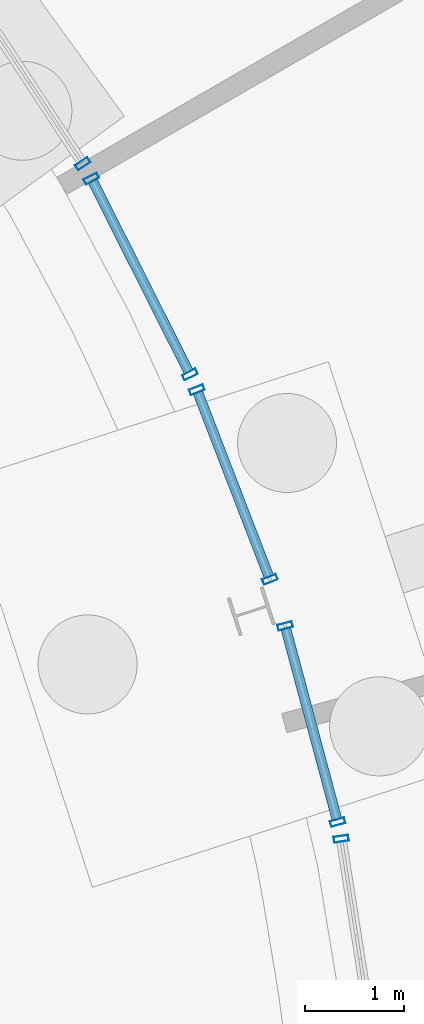
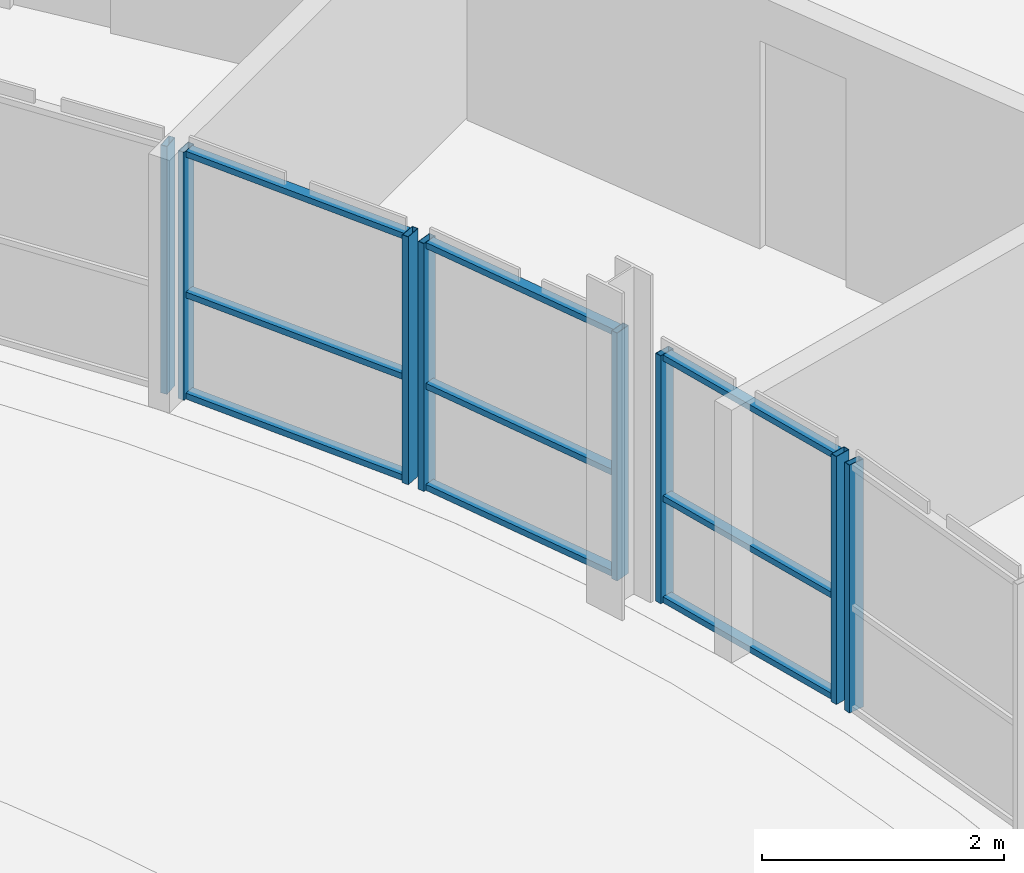
# One storey, part 62 of 130: 17 members, 5 elements without a shape of their own.
"""IFC4 building model written with IfcOpenShell, lengths in metres."""

from ifc_helpers import new_model, si_unit, direction, frame, origin, origin_2d, place, context, subcontext, project, spatial, hollow_rectangle, extrude, material, material_profile, profile_set, type_object, element, aggregate, save


model = new_model("IFC4")

# Units and contexts
model_context = context("Model", 3, precision=1e-05, world=origin(), true_north=direction((0.0, 1.0)))
body_context = subcontext(model_context, "Body", "Model", "MODEL_VIEW")
ifc_project = project(units=[si_unit("LENGTHUNIT", "METRE"), si_unit("AREAUNIT", "SQUARE_METRE"), si_unit("VOLUMEUNIT", "CUBIC_METRE"), si_unit("PLANEANGLEUNIT", "RADIAN"), si_unit("MASSUNIT", "GRAM", prefix="KILO")], contexts=[model_context])

# Site, building, storey
site_placement = place(None, origin())
site = spatial("IfcSite", under=ifc_project, at=site_placement, CompositionType="ELEMENT")
building_placement = place(site_placement, origin())
building = spatial("IfcBuilding", under=site, at=building_placement, Name="Parallax Yard Mobility Hub", CompositionType="ELEMENT")
storey_placement = place(building_placement, origin())
storey = spatial("IfcBuildingStorey", under=building, at=storey_placement, Name="L00", CompositionType="ELEMENT", Elevation=0.0)

# Curtain wall, member
ifc_material_1 = material(Name="Aluminium and glass curtain wall", Category="aluminium")
curtain_wall_type = type_object("IfcCurtainWallType", Name="Curtain wall, aluminium stick system", PredefinedType="NOTDEFINED", material=ifc_material_1)
curtain_wall_1_placement = place(storey_placement, origin())
curtain_wall_1 = element("IfcCurtainWall", 1, at=curtain_wall_1_placement, inside=storey, type_object=curtain_wall_type, Name="Curtain wall CW33 level L00 bay 21.1", PredefinedType="NOTDEFINED")
ifc_material_2 = material(Name="Aluminium 6063-T6 anodised", Category="aluminium")
ifc_material_profile_1 = material_profile(ifc_material_2, hollow_rectangle(XDim=0.14990234375, YDim=0.06005859375, WallThickness=0.00390625, at=origin_2d()), Name="RHS 60x150x4")
ifc_profile_set_1 = profile_set([ifc_material_profile_1], Name="Aluminium 6063-T6 anodised")
member_type_1 = type_object("IfcMemberType", Name="Curtain wall mullion RHS 60x150x4", PredefinedType="MULLION", material=ifc_profile_set_1)
member_1_placement = place(storey_placement, frame((192.197998046875, 101.47314453125, 0.0), z_axis=(0.0, 0.0, 1.0), x_axis=(0.835982204397, 0.548756552518, 0.0)))
member_1 = element("IfcMember", 2, at=member_1_placement, type_object=member_type_1, Name="CW33 mullion 2", PredefinedType="MULLION", context=body_context, shape_type="SweptSolid", body=[
    extrude(hollow_rectangle(XDim=0.14990234375, YDim=0.06005859375, WallThickness=0.00390625, at=origin_2d()), origin(), (0.0, 0.0, 1.0), 2.5),
])
aggregate(curtain_wall_1, [member_1])

# Curtain wall, members
curtain_wall_2_placement = place(storey_placement, origin())
curtain_wall_2 = element("IfcCurtainWall", 3, at=curtain_wall_2_placement, inside=storey, type_object=curtain_wall_type, Name="Curtain wall CW34 level L00 bay 21.2", PredefinedType="NOTDEFINED")
member_2_placement = place(storey_placement, frame((192.284912109375, 101.322509765625, 0.0), z_axis=(0.0, 0.0, 1.0), x_axis=(0.893228097976, 0.449603786669, 0.0)))
member_2 = element("IfcMember", 4, at=member_2_placement, type_object=member_type_1, Name="CW34 mullion 1", PredefinedType="MULLION", context=body_context, shape_type="SweptSolid", body=[
    extrude(hollow_rectangle(XDim=0.14990234375, YDim=0.06005859375, WallThickness=0.00390625, at=origin_2d()), origin(), (0.0, 0.0, 1.0), 2.5),
])
member_3_placement = place(storey_placement, frame((193.280517578125, 99.344482421875, 0.0), z_axis=(0.0, 0.0, 1.0), x_axis=(0.893228097976, 0.449603786669, 0.0)))
member_3 = element("IfcMember", 5, at=member_3_placement, type_object=member_type_1, Name="CW34 mullion 2", PredefinedType="MULLION", context=body_context, shape_type="SweptSolid", body=[
    extrude(hollow_rectangle(XDim=0.14990234375, YDim=0.06005859375, WallThickness=0.00390625, at=origin_2d()), origin(), (0.0, 0.0, 1.0), 2.5),
])

curtain_wall_3_placement = place(storey_placement, origin())
curtain_wall_3 = element("IfcCurtainWall", 6, at=curtain_wall_3_placement, inside=storey, type_object=curtain_wall_type, Name="Curtain wall CW35 level L00 bay 21.3", PredefinedType="NOTDEFINED")
member_4_placement = place(storey_placement, frame((193.34912109375, 99.189697265625, 0.0), z_axis=(0.0, 0.0, 1.0), x_axis=(0.932983943798, 0.359917991514, 0.0)))
member_4 = element("IfcMember", 7, at=member_4_placement, type_object=member_type_1, Name="CW35 mullion 1", PredefinedType="MULLION", context=body_context, shape_type="SweptSolid", body=[
    extrude(hollow_rectangle(XDim=0.14990234375, YDim=0.06005859375, WallThickness=0.00390625, at=origin_2d()), origin(), (0.0, 0.0, 1.0), 2.5),
])
member_5_placement = place(storey_placement, frame((194.087890625, 97.27490234375, 0.0), z_axis=(0.0, 0.0, 1.0), x_axis=(0.932983943798, 0.359917991514, 0.0)))
member_5 = element("IfcMember", 8, at=member_5_placement, type_object=member_type_1, Name="CW35 mullion 2", PredefinedType="MULLION", context=body_context, shape_type="SweptSolid", body=[
    extrude(hollow_rectangle(XDim=0.14990234375, YDim=0.06005859375, WallThickness=0.00390625, at=origin_2d()), origin(), (0.0, 0.0, 1.0), 2.5),
])

curtain_wall_4_placement = place(storey_placement, origin())
curtain_wall_4 = element("IfcCurtainWall", 9, at=curtain_wall_4_placement, inside=storey, type_object=curtain_wall_type, Name="Curtain wall CW36 level L00 bay 22.1", PredefinedType="NOTDEFINED")
member_6_placement = place(storey_placement, frame((194.240966796875, 96.8046875, 0.0), z_axis=(0.0, 0.0, 1.0), x_axis=(0.965920566793, 0.258838673012, 0.0)))
member_6 = element("IfcMember", 10, at=member_6_placement, type_object=member_type_1, Name="CW36 mullion 1", PredefinedType="MULLION", context=body_context, shape_type="SweptSolid", body=[
    extrude(hollow_rectangle(XDim=0.14990234375, YDim=0.06005859375, WallThickness=0.00390625, at=origin_2d()), origin(), (0.0, 0.0, 1.0), 2.5),
])
member_7_placement = place(storey_placement, frame((194.77197265625, 94.8232421875, 0.0), z_axis=(0.0, 0.0, 1.0), x_axis=(0.965920566793, 0.258838673012, 0.0)))
member_7 = element("IfcMember", 11, at=member_7_placement, type_object=member_type_1, Name="CW36 mullion 2", PredefinedType="MULLION", context=body_context, shape_type="SweptSolid", body=[
    extrude(hollow_rectangle(XDim=0.14990234375, YDim=0.06005859375, WallThickness=0.00390625, at=origin_2d()), origin(), (0.0, 0.0, 1.0), 2.5),
])

# Curtain wall, member
curtain_wall_5_placement = place(storey_placement, origin())
curtain_wall_5 = element("IfcCurtainWall", 12, at=curtain_wall_5_placement, inside=storey, type_object=curtain_wall_type, Name="Curtain wall CW37 level L00 bay 22.2", PredefinedType="NOTDEFINED")
member_8_placement = place(storey_placement, frame((194.8076171875, 94.6552734375, 0.0), z_axis=(0.0, 0.0, 1.0), x_axis=(0.987924413348, 0.154936611265, 0.0)))
member_8 = element("IfcMember", 13, at=member_8_placement, type_object=member_type_1, Name="CW37 mullion 1", PredefinedType="MULLION", context=body_context, shape_type="SweptSolid", body=[
    extrude(hollow_rectangle(XDim=0.14990234375, YDim=0.06005859375, WallThickness=0.00390625, at=origin_2d()), origin(), (0.0, 0.0, 1.0), 2.5),
])
aggregate(curtain_wall_5, [member_8])

# Member
ifc_material_profile_2 = material_profile(ifc_material_2, hollow_rectangle(XDim=0.10009765625, YDim=0.06005859375, WallThickness=0.00390625, at=origin_2d()), Name="RHS 60x100x4")
ifc_profile_set_2 = profile_set([ifc_material_profile_2], Name="Aluminium 6063-T6 anodised")
member_type_2 = type_object("IfcMemberType", Name="Curtain wall transom RHS 60x100x4", PredefinedType="USERDEFINED", material=ifc_profile_set_2)
member_9_placement = place(storey_placement, frame((192.298583984375, 101.295654296875, 0.030029296875), z_axis=(0.449523744033, -0.893268382711, 0.0), x_axis=(0.893268382711, 0.449523744033, 0.0)))
member_9 = element("IfcMember", 14, at=member_9_placement, type_object=member_type_2, Name="CW34 transom 1.1", ObjectType="TRANSOM", PredefinedType="USERDEFINED", context=body_context, shape_type="SweptSolid", body=[
    extrude(hollow_rectangle(XDim=0.10009765625, YDim=0.06005859375, WallThickness=0.00390625, at=origin_2d()), origin(), (0.0, 0.0, 1.0), 2.154541015625),
])

member_10_placement = place(storey_placement, frame((192.298583984375, 101.295654296875, 1.050048828125), z_axis=(0.449523744033, -0.893268382711, 0.0), x_axis=(0.893268382711, 0.449523744033, 0.0)))
member_10 = element("IfcMember", 15, at=member_10_placement, type_object=member_type_2, Name="CW34 transom 1.2", ObjectType="TRANSOM", PredefinedType="USERDEFINED", context=body_context, shape_type="SweptSolid", body=[
    extrude(hollow_rectangle(XDim=0.10009765625, YDim=0.06005859375, WallThickness=0.00390625, at=origin_2d()), origin(), (0.0, 0.0, 1.0), 2.154541015625),
])

member_11_placement = place(storey_placement, frame((192.298583984375, 101.295654296875, 2.469970703125), z_axis=(0.449523744033, -0.893268382711, 0.0), x_axis=(0.893268382711, 0.449523744033, 0.0)))
member_11 = element("IfcMember", 16, at=member_11_placement, type_object=member_type_2, Name="CW34 transom 1.3", ObjectType="TRANSOM", PredefinedType="USERDEFINED", context=body_context, shape_type="SweptSolid", body=[
    extrude(hollow_rectangle(XDim=0.10009765625, YDim=0.06005859375, WallThickness=0.00390625, at=origin_2d()), origin(), (0.0, 0.0, 1.0), 2.154541015625),
])

aggregate(curtain_wall_2, [member_2, member_3, member_9, member_10, member_11])

member_12_placement = place(storey_placement, frame((193.360107421875, 99.16162109375, 0.030029296875), z_axis=(0.359824821927, -0.933019880563, 0.0), x_axis=(0.933019880563, 0.359824821927, 0.0)))
member_12 = element("IfcMember", 17, at=member_12_placement, type_object=member_type_2, Name="CW35 transom 1.1", ObjectType="TRANSOM", PredefinedType="USERDEFINED", context=body_context, shape_type="SweptSolid", body=[
    extrude(hollow_rectangle(XDim=0.10009765625, YDim=0.06005859375, WallThickness=0.00390625, at=origin_2d()), origin(), (0.0, 0.0, 1.0), 1.9921875),
])

member_13_placement = place(storey_placement, frame((193.360107421875, 99.16162109375, 1.050048828125), z_axis=(0.359824821927, -0.933019880563, 0.0), x_axis=(0.933019880563, 0.359824821927, 0.0)))
member_13 = element("IfcMember", 18, at=member_13_placement, type_object=member_type_2, Name="CW35 transom 1.2", ObjectType="TRANSOM", PredefinedType="USERDEFINED", context=body_context, shape_type="SweptSolid", body=[
    extrude(hollow_rectangle(XDim=0.10009765625, YDim=0.06005859375, WallThickness=0.00390625, at=origin_2d()), origin(), (0.0, 0.0, 1.0), 1.9921875),
])

member_14_placement = place(storey_placement, frame((193.360107421875, 99.16162109375, 2.469970703125), z_axis=(0.359824821927, -0.933019880563, 0.0), x_axis=(0.933019880563, 0.359824821927, 0.0)))
member_14 = element("IfcMember", 19, at=member_14_placement, type_object=member_type_2, Name="CW35 transom 1.3", ObjectType="TRANSOM", PredefinedType="USERDEFINED", context=body_context, shape_type="SweptSolid", body=[
    extrude(hollow_rectangle(XDim=0.10009765625, YDim=0.06005859375, WallThickness=0.00390625, at=origin_2d()), origin(), (0.0, 0.0, 1.0), 1.9921875),
])

aggregate(curtain_wall_3, [member_4, member_5, member_12, member_13, member_14])

member_15_placement = place(storey_placement, frame((194.248779296875, 96.775634765625, 0.030029296875), z_axis=(0.258830057158, -0.965922875551, 0.0), x_axis=(0.965922875551, 0.258830057158, 0.0)))
member_15 = element("IfcMember", 20, at=member_15_placement, type_object=member_type_2, Name="CW36 transom 1.1", ObjectType="TRANSOM", PredefinedType="USERDEFINED", context=body_context, shape_type="SweptSolid", body=[
    extrude(hollow_rectangle(XDim=0.10009765625, YDim=0.06005859375, WallThickness=0.00390625, at=origin_2d()), origin(), (0.0, 0.0, 1.0), 1.9912109375),
])

member_16_placement = place(storey_placement, frame((194.248779296875, 96.775634765625, 1.050048828125), z_axis=(0.258830057158, -0.965922875551, 0.0), x_axis=(0.965922875551, 0.258830057158, 0.0)))
member_16 = element("IfcMember", 21, at=member_16_placement, type_object=member_type_2, Name="CW36 transom 1.2", ObjectType="TRANSOM", PredefinedType="USERDEFINED", context=body_context, shape_type="SweptSolid", body=[
    extrude(hollow_rectangle(XDim=0.10009765625, YDim=0.06005859375, WallThickness=0.00390625, at=origin_2d()), origin(), (0.0, 0.0, 1.0), 1.9912109375),
])

member_17_placement = place(storey_placement, frame((194.248779296875, 96.775634765625, 2.469970703125), z_axis=(0.258830057158, -0.965922875551, 0.0), x_axis=(0.965922875551, 0.258830057158, 0.0)))
member_17 = element("IfcMember", 22, at=member_17_placement, type_object=member_type_2, Name="CW36 transom 1.3", ObjectType="TRANSOM", PredefinedType="USERDEFINED", context=body_context, shape_type="SweptSolid", body=[
    extrude(hollow_rectangle(XDim=0.10009765625, YDim=0.06005859375, WallThickness=0.00390625, at=origin_2d()), origin(), (0.0, 0.0, 1.0), 1.9912109375),
])

aggregate(curtain_wall_4, [member_6, member_7, member_15, member_16, member_17])

save(model, "model.ifc")
